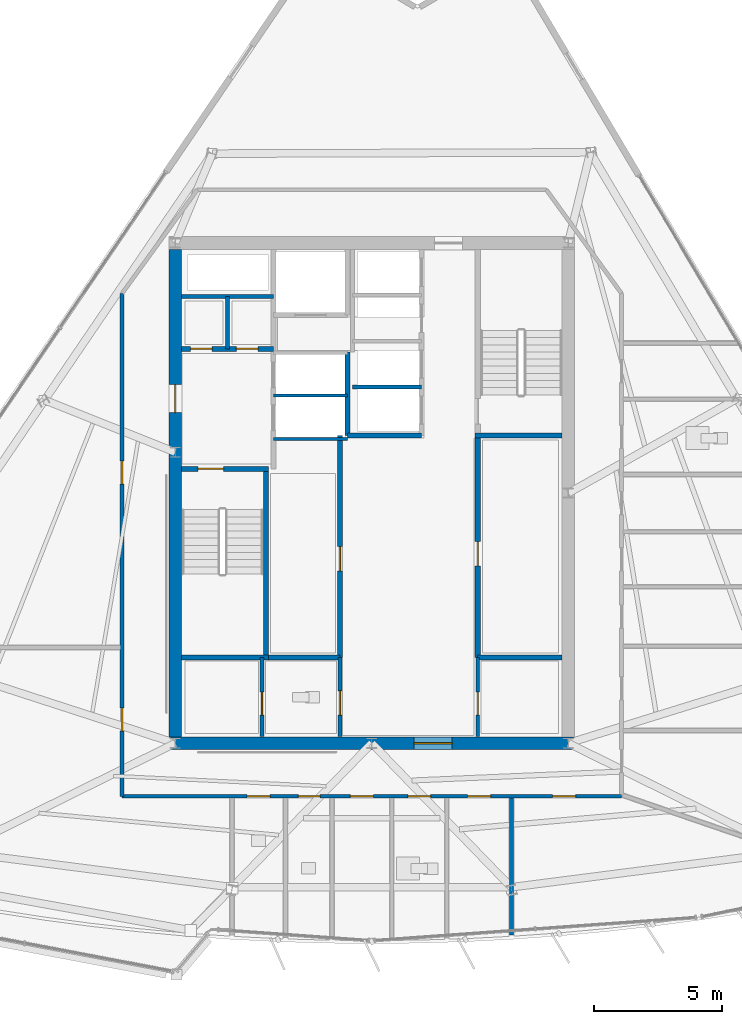
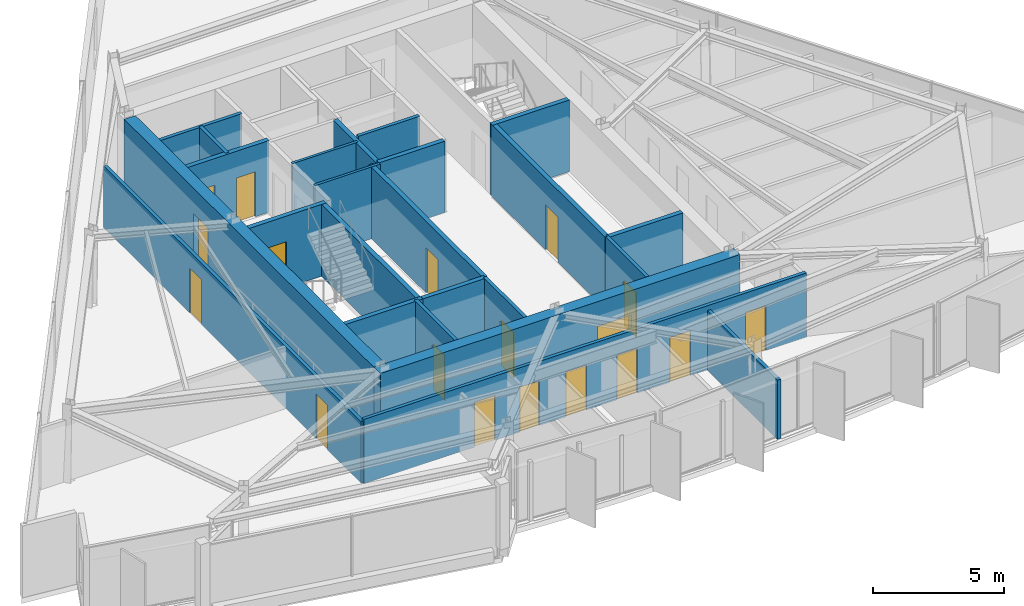
# One storey, part 7 of 14: 24 walls, 18 doors, 18 openings.
"""IFC4 building model written with IfcOpenShell, lengths in metres."""

from ifc_helpers import new_model, si_unit, direction, frame, frame_2d, origin, place, context, subcontext, project, spatial, rectangle, extrude, material, layer, layer_set, type_object, element, fill, save


model = new_model("IFC4")

# Units and contexts
model_context = context("Model", 3, precision=1e-05, world=origin(), true_north=direction((0.0, 1.0)))
body_context = subcontext(model_context, "Body", "Model", "MODEL_VIEW")
ifc_project = project(units=[si_unit("LENGTHUNIT", "METRE"), si_unit("AREAUNIT", "SQUARE_METRE"), si_unit("VOLUMEUNIT", "CUBIC_METRE"), si_unit("PLANEANGLEUNIT", "RADIAN"), si_unit("MASSUNIT", "GRAM", prefix="KILO")], contexts=[model_context])

# Site, building, storey
site_placement = place(None, origin())
site = spatial("IfcSite", under=ifc_project, at=site_placement, CompositionType="ELEMENT")
building_placement = place(site_placement, origin())
building = spatial("IfcBuilding", under=site, at=building_placement, Name="Savorim Split Tower", CompositionType="ELEMENT")
storey_placement = place(building_placement, frame((0.0, 0.0, 227.10009765625)))
storey = spatial("IfcBuildingStorey", under=building, at=storey_placement, Name="L60", CompositionType="ELEMENT", Elevation=227.10009765625)

# Wall, opening, door
ifc_material_1 = material(Name="Concrete C60/75", Category="concrete")
ifc_layer_1 = layer(ifc_material_1, 0.5)
ifc_layer_set_1 = layer_set([ifc_layer_1], Name="WAL-COR-SH500")
wall_type_1 = type_object("IfcWallType", Name="WAL-COR-SH500", PredefinedType="SHEAR", material=ifc_layer_set_1)
wall_1_placement = place(storey_placement, frame((-7.949951171875, -9.39990234375, 0.0), z_axis=(0.0, 0.0, 1.0), x_axis=(1.0, 0.0, 0.0)))
wall_1 = element("IfcWall", 1, at=wall_1_placement, inside=storey, type_object=wall_type_1, Name="L60 Offset Core South Shear Wall", PredefinedType="SHEAR", context=body_context, shape_type="SweptSolid", body=[
    extrude(rectangle(XDim=15.89990234375, YDim=0.5, at=frame_2d((7.949951171875, 0.0))), origin(), (0.0, 0.0, 1.0), 3.349853515625),
])
opening_1_placement = place(wall_1_placement, frame((9.60009765625, 0.0, 0.0)))
opening_1 = element("IfcOpeningElement", 2, at=opening_1_placement, cuts=wall_1, Name="Opening DI-02", PredefinedType="OPENING", context=body_context, shape_type="SweptSolid", body=[
    extrude(rectangle(XDim=1.5, YDim=2.199951171875, at=frame_2d((0.75, 1.10009765625))), frame((0.0, 0.260009765625, 0.0), z_axis=(0.0, -1.0, 0.0), x_axis=(1.0, 0.0, 0.0)), (0.0, 0.0, 1.0), 0.52001953125),
])
ifc_material_2 = material(Name="Timber Fire Door Leaf", Category="wood")
door_type_1 = type_object("IfcDoorType", Name="DOR-DBL-1500", OperationType="NOTDEFINED", PredefinedType="DOOR", material=ifc_material_2)
door_1_placement = place(opening_1_placement, origin())
door_1 = element("IfcDoor", 3, at=door_1_placement, inside=storey, type_object=door_type_1, Name="DOR-L60-COR-LLOB - L60 Lift Lobby Main Rated Door", OperationType="DOUBLE_DOOR_SINGLE_SWING", OverallHeight=2.199951171875, OverallWidth=1.5, PredefinedType="DOOR", context=body_context, shape_type="SweptSolid", body=[
    extrude(rectangle(XDim=1.5, YDim=2.199951171875, at=frame_2d((0.75, 1.10009765625))), frame((0.0, 0.02490234375, 0.0), z_axis=(0.0, -1.0, 0.0), x_axis=(1.0, 0.0, 0.0)), (0.0, 0.0, 1.0), 0.050048828125),
])
fill(opening_1, door_1)

wall_2_placement = place(storey_placement, frame((-7.699951171875, -9.14990234375, 0.0), z_axis=(0.0, 0.0, 1.0), x_axis=(0.0, 1.0, 0.0)))
wall_2 = element("IfcWall", 4, at=wall_2_placement, inside=storey, type_object=wall_type_1, Name="L60 Offset Core West Shear Wall", PredefinedType="SHEAR", context=body_context, shape_type="SweptSolid", body=[
    extrude(rectangle(XDim=19.099853515625, YDim=0.5, at=frame_2d((9.5498046875, 0.0))), origin(), (0.0, 0.0, 1.0), 3.349853515625),
])
opening_2_placement = place(wall_2_placement, frame((12.699951171875, 0.0, 0.0)))
opening_2 = element("IfcOpeningElement", 5, at=opening_2_placement, cuts=wall_2, Name="Opening DI-03", PredefinedType="OPENING", context=body_context, shape_type="SweptSolid", body=[
    extrude(rectangle(XDim=1.10009765625, YDim=2.14990234375, at=frame_2d((0.550048828125, 1.074951171875))), frame((0.0, 0.260009765625, 0.0), z_axis=(0.0, -1.0, 0.0), x_axis=(1.0, 0.0, 0.0)), (0.0, 0.0, 1.0), 0.52001953125),
])
door_type_2 = type_object("IfcDoorType", Name="DOR-FIR-1100", OperationType="NOTDEFINED", PredefinedType="DOOR", material=ifc_material_2)
door_2_placement = place(opening_2_placement, origin())
door_2 = element("IfcDoor", 6, at=door_2_placement, inside=storey, type_object=door_type_2, Name="DOR-L60-COR-FFLOB - L60 Firefighting Lobby Corridor Door", OperationType="SINGLE_SWING_RIGHT", OverallHeight=2.14990234375, OverallWidth=1.10009765625, PredefinedType="DOOR", context=body_context, shape_type="SweptSolid", body=[
    extrude(rectangle(XDim=1.10009765625, YDim=2.14990234375, at=frame_2d((0.550048828125, 1.074951171875))), frame((0.0, 0.02490234375, 0.0), z_axis=(0.0, -1.0, 0.0), x_axis=(1.0, 0.0, 0.0)), (0.0, 0.0, 1.0), 0.050048828125),
])
fill(opening_2, door_2)

ifc_material_3 = material(Name="Concrete C50/60", Category="concrete")
ifc_layer_2 = layer(ifc_material_3, 0.199951171875)
ifc_layer_set_2 = layer_set([ifc_layer_2], Name="WAL-INT-RC200")
wall_type_2 = type_object("IfcWallType", Name="WAL-INT-RC200", PredefinedType="SOLIDWALL", material=ifc_layer_set_2)
wall_3_placement = place(storey_placement, frame((-7.449951171875, 1.35009765625, 0.0), z_axis=(0.0, 0.0, 1.0), x_axis=(1.0, 0.0, 0.0)))
wall_3 = element("IfcWall", 7, at=wall_3_placement, inside=storey, type_object=wall_type_2, Name="L60 Structural Shaft Wall W-L60-CR01", PredefinedType="SOLIDWALL", context=body_context, shape_type="SweptSolid", body=[
    extrude(rectangle(XDim=3.39990234375, YDim=0.199951171875, at=frame_2d((1.699951171875, 0.0))), origin(), (0.0, 0.0, 1.0), 3.349853515625),
])
opening_3_placement = place(wall_3_placement, frame((0.64990234375, 0.0, 0.0)))
opening_3 = element("IfcOpeningElement", 8, at=opening_3_placement, cuts=wall_3, Name="Opening DI-04", PredefinedType="OPENING", context=body_context, shape_type="SweptSolid", body=[
    extrude(rectangle(XDim=1.0, YDim=2.14990234375, at=frame_2d((0.5, 1.074951171875))), frame((0.0, 0.10986328125, 0.0), z_axis=(0.0, -1.0, 0.0), x_axis=(1.0, 0.0, 0.0)), (0.0, 0.0, 1.0), 0.219970703125),
])
door_type_3 = type_object("IfcDoorType", Name="DOR-FIR-1000", OperationType="NOTDEFINED", PredefinedType="DOOR", material=ifc_material_2)
door_3_placement = place(opening_3_placement, origin())
door_3 = element("IfcDoor", 9, at=door_3_placement, inside=storey, type_object=door_type_3, Name="DR-L60-ST1 - L60 Stair ST-1 Enclosure Door", OperationType="SINGLE_SWING_LEFT", OverallHeight=2.14990234375, OverallWidth=1.0, PredefinedType="DOOR", context=body_context, shape_type="SweptSolid", body=[
    extrude(rectangle(XDim=1.0, YDim=2.14990234375, at=frame_2d((0.5, 1.074951171875))), frame((0.0, 0.02490234375, 0.0), z_axis=(0.0, -1.0, 0.0), x_axis=(1.0, 0.0, 0.0)), (0.0, 0.0, 1.0), 0.050048828125),
])
fill(opening_3, door_3)

# Wall
wall_4_placement = place(storey_placement, frame((-4.14990234375, -5.949951171875, 0.0), z_axis=(0.0, 0.0, 1.0), x_axis=(0.0, 1.0, 0.0)))
element("IfcWall", 10, at=wall_4_placement, inside=storey, type_object=wall_type_2, Name="L60 Structural Shaft Wall W-L60-CR02", PredefinedType="SOLIDWALL", context=body_context, shape_type="SweptSolid", body=[
    extrude(rectangle(XDim=7.199951171875, YDim=0.199951171875, at=frame_2d((3.60009765625, 0.0))), origin(), (0.0, 0.0, 1.0), 3.349853515625),
])

# Wall, openings, doors
wall_5_placement = place(storey_placement, frame((-7.445068359375, 6.050048828125, 0.0), z_axis=(0.0, 0.0, 1.0), x_axis=(1.0, 0.0, 0.0)))
wall_5 = element("IfcWall", 11, at=wall_5_placement, inside=storey, type_object=wall_type_2, Name="L60 Partition W-L60-CR04", PredefinedType="SOLIDWALL", context=body_context, shape_type="SweptSolid", body=[
    extrude(rectangle(XDim=3.594970703125, YDim=0.199951171875, at=frame_2d((1.79736328125, 0.0))), origin(), (0.0, 0.0, 1.0), 3.349853515625),
])
opening_4_placement = place(wall_5_placement, frame((0.344970703125, 0.0, 0.0)))
opening_4 = element("IfcOpeningElement", 12, at=opening_4_placement, cuts=wall_5, Name="Opening DI-12", PredefinedType="OPENING", context=body_context, shape_type="SweptSolid", body=[
    extrude(rectangle(XDim=0.85009765625, YDim=2.10009765625, at=frame_2d((0.425048828125, 1.050048828125))), frame((0.0, 0.10986328125, 0.0), z_axis=(0.0, -1.0, 0.0), x_axis=(1.0, 0.0, 0.0)), (0.0, 0.0, 1.0), 0.219970703125),
])
opening_5_placement = place(wall_5_placement, frame((2.14501953125, 0.0, 0.0)))
opening_5 = element("IfcOpeningElement", 13, at=opening_5_placement, cuts=wall_5, Name="Opening DI-12", PredefinedType="OPENING", context=body_context, shape_type="SweptSolid", body=[
    extrude(rectangle(XDim=0.85009765625, YDim=2.10009765625, at=frame_2d((0.425048828125, 1.050048828125))), frame((0.0, 0.10986328125, 0.0), z_axis=(0.0, -1.0, 0.0), x_axis=(1.0, 0.0, 0.0)), (0.0, 0.0, 1.0), 0.219970703125),
])
ifc_material_4 = material(Name="Galvanised Painted Steel Balustrade", Category="steel")
door_type_4 = type_object("IfcDoorType", Name="DOR-RIS-850", OperationType="NOTDEFINED", PredefinedType="DOOR", material=ifc_material_4)
door_4_placement = place(opening_4_placement, origin())
door_4 = element("IfcDoor", 14, at=door_4_placement, inside=storey, type_object=door_type_4, Name="DR-L60-ELR - L60 Electrical Riser Access Door", OperationType="SINGLE_SWING_RIGHT", OverallHeight=2.10009765625, OverallWidth=0.85009765625, PredefinedType="DOOR", context=body_context, shape_type="SweptSolid", body=[
    extrude(rectangle(XDim=0.85009765625, YDim=2.10009765625, at=frame_2d((0.425048828125, 1.050048828125))), frame((0.0, 0.02490234375, 0.0), z_axis=(0.0, -1.0, 0.0), x_axis=(1.0, 0.0, 0.0)), (0.0, 0.0, 1.0), 0.050048828125),
])
fill(opening_4, door_4)
door_5_placement = place(opening_5_placement, origin())
door_5 = element("IfcDoor", 15, at=door_5_placement, inside=storey, type_object=door_type_4, Name="DR-L60-TLR - L60 Telecom Riser Access Door", OperationType="SINGLE_SWING_LEFT", OverallHeight=2.10009765625, OverallWidth=0.85009765625, PredefinedType="DOOR", context=body_context, shape_type="SweptSolid", body=[
    extrude(rectangle(XDim=0.85009765625, YDim=2.10009765625, at=frame_2d((0.425048828125, 1.050048828125))), frame((0.0, 0.02490234375, 0.0), z_axis=(0.0, -1.0, 0.0), x_axis=(1.0, 0.0, 0.0)), (0.0, 0.0, 1.0), 0.050048828125),
])
fill(opening_5, door_5)

# Walls
wall_6_placement = place(storey_placement, frame((4.050048828125, 2.64990234375, 0.0), z_axis=(0.0, 0.0, 1.0), x_axis=(1.0, 0.0, 0.0)))
element("IfcWall", 16, at=wall_6_placement, inside=storey, type_object=wall_type_2, Name="L60 Structural Shaft Wall W-L60-CR08", PredefinedType="SOLIDWALL", context=body_context, shape_type="SweptSolid", body=[
    extrude(rectangle(XDim=3.39990234375, YDim=0.199951171875, at=frame_2d((1.699951171875, 0.0))), origin(), (0.0, 0.0, 1.0), 3.349853515625),
])
wall_7_placement = place(storey_placement, frame((-0.949951171875, 2.64990234375, 0.0), z_axis=(0.0, 0.0, 1.0), x_axis=(0.0, 1.0, 0.0)))
element("IfcWall", 17, at=wall_7_placement, inside=storey, type_object=wall_type_2, Name="L60 Partition W-L60-FFLW", PredefinedType="SOLIDWALL", context=body_context, shape_type="SweptSolid", body=[
    extrude(rectangle(XDim=3.27001953125, YDim=0.199951171875, at=frame_2d((1.635009765625, 0.0))), origin(), (0.0, 0.0, 1.0), 3.349853515625),
])

# Wall, opening, door
wall_8_placement = place(storey_placement, frame((4.14990234375, -6.050048828125, 0.0), z_axis=(0.0, 0.0, 1.0), x_axis=(0.0, 1.0, 0.0)))
wall_8 = element("IfcWall", 18, at=wall_8_placement, inside=storey, type_object=wall_type_2, Name="L60 Partition W-L60-B1FRONT", PredefinedType="SOLIDWALL", context=body_context, shape_type="SweptSolid", body=[
    extrude(rectangle(XDim=8.699951171875, YDim=0.199951171875, at=frame_2d((4.35009765625, 0.0))), origin(), (0.0, 0.0, 1.0), 3.349853515625),
])
opening_6_placement = place(wall_8_placement, frame((3.60009765625, 0.0, 0.0)))
opening_6 = element("IfcOpeningElement", 19, at=opening_6_placement, cuts=wall_8, Name="Opening DI-05", PredefinedType="OPENING", context=body_context, shape_type="SweptSolid", body=[
    extrude(rectangle(XDim=0.949951171875, YDim=2.10009765625, at=frame_2d((0.47509765625, 1.050048828125))), frame((0.0, 0.10986328125, 0.0), z_axis=(0.0, -1.0, 0.0), x_axis=(1.0, 0.0, 0.0)), (0.0, 0.0, 1.0), 0.219970703125),
])
door_type_5 = type_object("IfcDoorType", Name="DOR-FIR-950", OperationType="NOTDEFINED", PredefinedType="DOOR", material=ifc_material_2)
door_6_placement = place(opening_6_placement, origin())
door_6 = element("IfcDoor", 20, at=door_6_placement, inside=storey, type_object=door_type_5, Name="DR-L60-LV7B1 - L60 Shared Pantry and Linen Room Door", OperationType="SINGLE_SWING_RIGHT", OverallHeight=2.10009765625, OverallWidth=0.949951171875, PredefinedType="DOOR", context=body_context, shape_type="SweptSolid", body=[
    extrude(rectangle(XDim=0.949951171875, YDim=2.10009765625, at=frame_2d((0.47509765625, 1.050048828125))), frame((0.0, 0.02490234375, 0.0), z_axis=(0.0, -1.0, 0.0), x_axis=(1.0, 0.0, 0.0)), (0.0, 0.0, 1.0), 0.050048828125),
])
fill(opening_6, door_6)

wall_9_placement = place(storey_placement, frame((-1.25, -6.050048828125, 0.0), z_axis=(0.0, 0.0, 1.0), x_axis=(0.0, 1.0, 0.0)))
wall_9 = element("IfcWall", 21, at=wall_9_placement, inside=storey, type_object=wall_type_2, Name="L60 Partition W-L60-B2FRONT", PredefinedType="SOLIDWALL", context=body_context, shape_type="SweptSolid", body=[
    extrude(rectangle(XDim=8.699951171875, YDim=0.199951171875, at=frame_2d((4.35009765625, 0.0))), origin(), (0.0, 0.0, 1.0), 3.349853515625),
])
opening_7_placement = place(wall_9_placement, frame((3.39990234375, 0.0, 0.0)))
opening_7 = element("IfcOpeningElement", 22, at=opening_7_placement, cuts=wall_9, Name="Opening DI-05", PredefinedType="OPENING", context=body_context, shape_type="SweptSolid", body=[
    extrude(rectangle(XDim=0.949951171875, YDim=2.10009765625, at=frame_2d((0.47509765625, 1.050048828125))), frame((0.0, 0.10986328125, 0.0), z_axis=(0.0, -1.0, 0.0), x_axis=(1.0, 0.0, 0.0)), (0.0, 0.0, 1.0), 0.219970703125),
])
door_7_placement = place(opening_7_placement, origin())
door_7 = element("IfcDoor", 23, at=door_7_placement, inside=storey, type_object=door_type_5, Name="DR-L60-LV7B2 - L60 Housekeeping and Parcel Room Door", OperationType="SINGLE_SWING_LEFT", OverallHeight=2.10009765625, OverallWidth=0.949951171875, PredefinedType="DOOR", context=body_context, shape_type="SweptSolid", body=[
    extrude(rectangle(XDim=0.949951171875, YDim=2.10009765625, at=frame_2d((0.47509765625, 1.050048828125))), frame((0.0, 0.02490234375, 0.0), z_axis=(0.0, -1.0, 0.0), x_axis=(1.0, 0.0, 0.0)), (0.0, 0.0, 1.0), 0.050048828125),
])
fill(opening_7, door_7)

# Walls
wall_10_placement = place(storey_placement, frame((-0.949951171875, 2.64990234375, 0.0), z_axis=(0.0, 0.0, 1.0), x_axis=(1.0, 0.0, 0.0)))
element("IfcWall", 24, at=wall_10_placement, inside=storey, type_object=wall_type_2, Name="L60 Partition W-L60-B3SOUTH", PredefinedType="SOLIDWALL", context=body_context, shape_type="SweptSolid", body=[
    extrude(rectangle(XDim=2.89990234375, YDim=0.199951171875, at=frame_2d((1.449951171875, 0.0))), origin(), (0.0, 0.0, 1.0), 3.349853515625),
])
wall_11_placement = place(storey_placement, frame((-7.449951171875, -6.050048828125, 0.0), z_axis=(0.0, 0.0, 1.0), x_axis=(1.0, 0.0, 0.0)))
element("IfcWall", 25, at=wall_11_placement, inside=storey, type_object=wall_type_2, Name="L60 Structural Shaft Wall W-L60-KSEP-W", PredefinedType="SOLIDWALL", context=body_context, shape_type="SweptSolid", body=[
    extrude(rectangle(XDim=3.39990234375, YDim=0.199951171875, at=frame_2d((1.699951171875, 0.0))), origin(), (0.0, 0.0, 1.0), 3.349853515625),
])
wall_12_placement = place(storey_placement, frame((-4.0400390625, -6.050048828125, 0.0), z_axis=(0.0, 0.0, 1.0), x_axis=(1.0, 0.0, 0.0)))
element("IfcWall", 26, at=wall_12_placement, inside=storey, type_object=wall_type_2, Name="L60 Partition W-L60-KSEP-W2", PredefinedType="SOLIDWALL", context=body_context, shape_type="SweptSolid", body=[
    extrude(rectangle(XDim=2.7900390625, YDim=0.199951171875, at=frame_2d((1.39501953125, 0.0))), origin(), (0.0, 0.0, 1.0), 3.349853515625),
])
wall_13_placement = place(storey_placement, frame((4.14990234375, -6.050048828125, 0.0), z_axis=(0.0, 0.0, 1.0), x_axis=(1.0, 0.0, 0.0)))
element("IfcWall", 27, at=wall_13_placement, inside=storey, type_object=wall_type_2, Name="L60 Partition W-L60-KSEP-E", PredefinedType="SOLIDWALL", context=body_context, shape_type="SweptSolid", body=[
    extrude(rectangle(XDim=3.295166015625, YDim=0.199951171875, at=frame_2d((1.6474609375, 0.0))), origin(), (0.0, 0.0, 1.0), 3.349853515625),
])
ifc_material_5 = material(Name="Acoustic Gypsum Partition Board")
ifc_layer_3 = layer(ifc_material_5, 0.1201171875)
ifc_layer_set_3 = layer_set([ifc_layer_3], Name="WAL-PAR-120")
wall_type_3 = type_object("IfcWallType", Name="WAL-PAR-120", PredefinedType="PARTITIONING", material=ifc_layer_set_3)
for number, where, z_axis, x_axis, name in (
    (28, (-3.85009765625, 2.52001953125, 0.0), (0.0, 0.0, 1.0), (1.0, 0.0, 0.0), "L60 Partition W-L60-FFLD0"),
    (29, (-3.85009765625, 4.219970703125, 0.0), (0.0, 0.0, 1.0), (1.0, 0.0, 0.0), "L60 Partition W-L60-FFLD1"),
):
    element("IfcWall", number, at=place(storey_placement, frame(where, z_axis=z_axis, x_axis=x_axis)), inside=storey, type_object=wall_type_3, Name=name, PredefinedType="PARTITIONING", context=body_context, shape_type="SweptSolid", body=[
        extrude(rectangle(XDim=2.900146484375, YDim=0.1201171875, at=frame_2d((1.4501953125, 0.0))), origin(), (0.0, 0.0, 1.0), 3.349853515625),
    ])
ifc_layer_4 = layer(ifc_material_5, 0.14990234375)
ifc_layer_set_4 = layer_set([ifc_layer_4], Name="WAL-PAR-150")
wall_type_4 = type_object("IfcWallType", Name="WAL-PAR-150", PredefinedType="PARTITIONING", material=ifc_layer_set_4)
wall_14_placement = place(storey_placement, frame((-7.445068359375, 8.10009765625, 0.0), z_axis=(0.0, 0.0, 1.0), x_axis=(1.0, 0.0, 0.0)))
element("IfcWall", 30, at=wall_14_placement, inside=storey, type_object=wall_type_4, Name="L60 Partition W-L60-CR05", PredefinedType="PARTITIONING", context=body_context, shape_type="SweptSolid", body=[
    extrude(rectangle(XDim=3.594970703125, YDim=0.14990234375, at=frame_2d((1.79736328125, 0.0))), origin(), (0.0, 0.0, 1.0), 3.349853515625),
])
wall_15_placement = place(storey_placement, frame((-5.64990234375, 6.050048828125, 0.0), z_axis=(0.0, 0.0, 1.0), x_axis=(0.0, 1.0, 0.0)))
element("IfcWall", 31, at=wall_15_placement, inside=storey, type_object=wall_type_4, Name="L60 Partition W-L60-CR06", PredefinedType="PARTITIONING", context=body_context, shape_type="SweptSolid", body=[
    extrude(rectangle(XDim=2.050048828125, YDim=0.14990234375, at=frame_2d((1.02490234375, 0.0))), origin(), (0.0, 0.0, 1.0), 3.349853515625),
])
wall_16_placement = place(storey_placement, frame((-0.75, 4.550048828125, 0.0), z_axis=(0.0, 0.0, 1.0), x_axis=(1.0, 0.0, 0.0)))
element("IfcWall", 32, at=wall_16_placement, inside=storey, type_object=wall_type_4, Name="L60 Partition W-L60-B3DIV1", PredefinedType="PARTITIONING", context=body_context, shape_type="SweptSolid", body=[
    extrude(rectangle(XDim=2.699951171875, YDim=0.14990234375, at=frame_2d((1.35009765625, 0.0))), origin(), (0.0, 0.0, 1.0), 3.349853515625),
])

# Wall, opening, door
wall_17_placement = place(storey_placement, frame((-1.25, -9.14501953125, 0.0), z_axis=(0.0, 0.0, 1.0), x_axis=(0.0, 1.0, 0.0)))
wall_17 = element("IfcWall", 33, at=wall_17_placement, inside=storey, type_object=wall_type_4, Name="L60 Partition W-L60-KLOB-W", PredefinedType="PARTITIONING", context=body_context, shape_type="SweptSolid", body=[
    extrude(rectangle(XDim=3.094970703125, YDim=0.14990234375, at=frame_2d((1.54736328125, 0.0))), origin(), (0.0, 0.0, 1.0), 3.349853515625),
])
opening_8_placement = place(wall_17_placement, frame((0.844970703125, 0.0, 0.0)))
opening_8 = element("IfcOpeningElement", 34, at=opening_8_placement, cuts=wall_17, Name="Opening DI-10", PredefinedType="OPENING", context=body_context, shape_type="SweptSolid", body=[
    extrude(rectangle(XDim=0.949951171875, YDim=2.10009765625, at=frame_2d((0.47509765625, 1.050048828125))), frame((0.0, 0.0849609375, 0.0), z_axis=(0.0, -1.0, 0.0), x_axis=(1.0, 0.0, 0.0)), (0.0, 0.0, 1.0), 0.169921875),
])
ifc_material_6 = material(Name="Oak Veneer Acoustic Door")
door_type_6 = type_object("IfcDoorType", Name="DOR-WC-950", OperationType="NOTDEFINED", PredefinedType="DOOR", material=ifc_material_6)
door_8_placement = place(opening_8_placement, origin())
door_8 = element("IfcDoor", 35, at=door_8_placement, inside=storey, type_object=door_type_6, Name="DR-L60-K1WC - L60 Core Accessible WC Door", OperationType="SINGLE_SWING_LEFT", OverallHeight=2.10009765625, OverallWidth=0.949951171875, PredefinedType="DOOR", context=body_context, shape_type="SweptSolid", body=[
    extrude(rectangle(XDim=0.949951171875, YDim=2.10009765625, at=frame_2d((0.47509765625, 1.050048828125))), frame((0.0, 0.02490234375, 0.0), z_axis=(0.0, -1.0, 0.0), x_axis=(1.0, 0.0, 0.0)), (0.0, 0.0, 1.0), 0.050048828125),
])
fill(opening_8, door_8)

wall_18_placement = place(storey_placement, frame((4.14990234375, -9.14501953125, 0.0), z_axis=(0.0, 0.0, 1.0), x_axis=(0.0, 1.0, 0.0)))
wall_18 = element("IfcWall", 36, at=wall_18_placement, inside=storey, type_object=wall_type_4, Name="L60 Partition W-L60-KLOB-E", PredefinedType="PARTITIONING", context=body_context, shape_type="SweptSolid", body=[
    extrude(rectangle(XDim=3.094970703125, YDim=0.14990234375, at=frame_2d((1.54736328125, 0.0))), origin(), (0.0, 0.0, 1.0), 3.349853515625),
])
opening_9_placement = place(wall_18_placement, frame((0.844970703125, 0.0, 0.0)))
opening_9 = element("IfcOpeningElement", 37, at=opening_9_placement, cuts=wall_18, Name="Opening DI-06", PredefinedType="OPENING", context=body_context, shape_type="SweptSolid", body=[
    extrude(rectangle(XDim=0.89990234375, YDim=2.10009765625, at=frame_2d((0.449951171875, 1.050048828125))), frame((0.0, 0.0849609375, 0.0), z_axis=(0.0, -1.0, 0.0), x_axis=(1.0, 0.0, 0.0)), (0.0, 0.0, 1.0), 0.169921875),
])
door_type_7 = type_object("IfcDoorType", Name="DOR-FIR-900", OperationType="NOTDEFINED", PredefinedType="DOOR", material=ifc_material_2)
door_9_placement = place(opening_9_placement, origin())
door_9 = element("IfcDoor", 38, at=door_9_placement, inside=storey, type_object=door_type_7, Name="DR-L60-K1IT - L60 Core IT Room Door", OperationType="SINGLE_SWING_LEFT", OverallHeight=2.10009765625, OverallWidth=0.89990234375, PredefinedType="DOOR", context=body_context, shape_type="SweptSolid", body=[
    extrude(rectangle(XDim=0.89990234375, YDim=2.10009765625, at=frame_2d((0.449951171875, 1.050048828125))), frame((0.0, 0.02490234375, 0.0), z_axis=(0.0, -1.0, 0.0), x_axis=(1.0, 0.0, 0.0)), (0.0, 0.0, 1.0), 0.050048828125),
])
fill(opening_9, door_9)

wall_19_placement = place(storey_placement, frame((-4.300048828125, -9.14501953125, 0.0), z_axis=(0.0, 0.0, 1.0), x_axis=(0.0, 1.0, 0.0)))
wall_19 = element("IfcWall", 39, at=wall_19_placement, inside=storey, type_object=wall_type_4, Name="L60 Partition W-L60-K1W", PredefinedType="PARTITIONING", context=body_context, shape_type="SweptSolid", body=[
    extrude(rectangle(XDim=3.094970703125, YDim=0.14990234375, at=frame_2d((1.54736328125, 0.0))), origin(), (0.0, 0.0, 1.0), 3.349853515625),
])
opening_10_placement = place(wall_19_placement, frame((0.844970703125, 0.0, 0.0)))
opening_10 = element("IfcOpeningElement", 40, at=opening_10_placement, cuts=wall_19, Name="Opening DI-06", PredefinedType="OPENING", context=body_context, shape_type="SweptSolid", body=[
    extrude(rectangle(XDim=0.89990234375, YDim=2.10009765625, at=frame_2d((0.449951171875, 1.050048828125))), frame((0.0, 0.0849609375, 0.0), z_axis=(0.0, -1.0, 0.0), x_axis=(1.0, 0.0, 0.0)), (0.0, 0.0, 1.0), 0.169921875),
])
door_10_placement = place(opening_10_placement, origin())
door_10 = element("IfcDoor", 41, at=door_10_placement, inside=storey, type_object=door_type_7, Name="DR-L60-K1HK - L60 Housekeeping Store Door", OperationType="SINGLE_SWING_RIGHT", OverallHeight=2.10009765625, OverallWidth=0.89990234375, PredefinedType="DOOR", context=body_context, shape_type="SweptSolid", body=[
    extrude(rectangle(XDim=0.89990234375, YDim=2.10009765625, at=frame_2d((0.449951171875, 1.050048828125))), frame((0.0, 0.02490234375, 0.0), z_axis=(0.0, -1.0, 0.0), x_axis=(1.0, 0.0, 0.0)), (0.0, 0.0, 1.0), 0.050048828125),
])
fill(opening_10, door_10)

# Wall, openings, doors
wall_20_placement = place(storey_placement, frame((-9.780029296875, -11.47998046875, 0.0), z_axis=(0.0, 0.0, 1.0), x_axis=(0.0, 1.0, 0.0)))
wall_20 = element("IfcWall", 42, at=wall_20_placement, inside=storey, type_object=wall_type_4, Name="L60 Partition W-L60-COR-01", PredefinedType="PARTITIONING", context=body_context, shape_type="SweptSolid", body=[
    extrude(rectangle(XDim=19.705810546875, YDim=0.14990234375, at=frame_2d((9.85302734375, 0.0))), origin(), (0.0, 0.0, 1.0), 2.875),
])
opening_11_placement = place(wall_20_placement, frame((2.553466796875, 0.0, 0.0)))
opening_11 = element("IfcOpeningElement", 43, at=opening_11_placement, cuts=wall_20, Name="Opening DI-06", PredefinedType="OPENING", context=body_context, shape_type="SweptSolid", body=[
    extrude(rectangle(XDim=0.89990234375, YDim=2.10009765625, at=frame_2d((0.449951171875, 1.050048828125))), frame((0.0, 0.0849609375, 0.0), z_axis=(0.0, -1.0, 0.0), x_axis=(1.0, 0.0, 0.0)), (0.0, 0.0, 1.0), 0.169921875),
])
opening_12_placement = place(wall_20_placement, frame((12.228271484375, 0.0, 0.0)))
opening_12 = element("IfcOpeningElement", 44, at=opening_12_placement, cuts=wall_20, Name="Opening DI-06", PredefinedType="OPENING", context=body_context, shape_type="SweptSolid", body=[
    extrude(rectangle(XDim=0.89990234375, YDim=2.10009765625, at=frame_2d((0.449951171875, 1.050048828125))), frame((0.0, 0.0849609375, 0.0), z_axis=(0.0, -1.0, 0.0), x_axis=(1.0, 0.0, 0.0)), (0.0, 0.0, 1.0), 0.169921875),
])
door_11_placement = place(opening_11_placement, origin())
door_11 = element("IfcDoor", 45, at=door_11_placement, inside=storey, type_object=door_type_7, Name="DR-L60-RM01 - L60 Co-Working Commons Entry Door", OperationType="SINGLE_SWING_RIGHT", OverallHeight=2.10009765625, OverallWidth=0.89990234375, PredefinedType="DOOR", context=body_context, shape_type="SweptSolid", body=[
    extrude(rectangle(XDim=0.89990234375, YDim=2.10009765625, at=frame_2d((0.449951171875, 1.050048828125))), frame((0.0, 0.02490234375, 0.0), z_axis=(0.0, -1.0, 0.0), x_axis=(1.0, 0.0, 0.0)), (0.0, 0.0, 1.0), 0.050048828125),
])
fill(opening_11, door_11)
door_12_placement = place(opening_12_placement, origin())
door_12 = element("IfcDoor", 46, at=door_12_placement, inside=storey, type_object=door_type_7, Name="DR-L60-RM15 - L60 Co-Working Commons Entry Door", OperationType="SINGLE_SWING_RIGHT", OverallHeight=2.10009765625, OverallWidth=0.89990234375, PredefinedType="DOOR", context=body_context, shape_type="SweptSolid", body=[
    extrude(rectangle(XDim=0.89990234375, YDim=2.10009765625, at=frame_2d((0.449951171875, 1.050048828125))), frame((0.0, 0.02490234375, 0.0), z_axis=(0.0, -1.0, 0.0), x_axis=(1.0, 0.0, 0.0)), (0.0, 0.0, 1.0), 0.050048828125),
])
fill(opening_12, door_12)

wall_21_placement = place(storey_placement, frame((9.780029296875, -11.47998046875, 0.0), z_axis=(0.0, 0.0, 1.0), x_axis=(-1.0, 0.0, 0.0)))
wall_21 = element("IfcWall", 47, at=wall_21_placement, inside=storey, type_object=wall_type_4, Name="L60 Partition W-L60-COR-06", PredefinedType="PARTITIONING", context=body_context, shape_type="SweptSolid", body=[
    extrude(rectangle(XDim=19.56005859375, YDim=0.14990234375, at=frame_2d((9.780029296875, 0.0))), origin(), (0.0, 0.0, 1.0), 3.0048828125),
])
opening_13_placement = place(wall_21_placement, frame((13.759033203125, 0.0, 0.0)))
opening_13 = element("IfcOpeningElement", 48, at=opening_13_placement, cuts=wall_21, Name="Opening DI-06", PredefinedType="OPENING", context=body_context, shape_type="SweptSolid", body=[
    extrude(rectangle(XDim=0.89990234375, YDim=2.10009765625, at=frame_2d((0.449951171875, 1.050048828125))), frame((0.0, 0.0849609375, 0.0), z_axis=(0.0, -1.0, 0.0), x_axis=(1.0, 0.0, 0.0)), (0.0, 0.0, 1.0), 0.169921875),
])
opening_14_placement = place(wall_21_placement, frame((11.801513671875, 0.0, 0.0)))
opening_14 = element("IfcOpeningElement", 49, at=opening_14_placement, cuts=wall_21, Name="Opening DI-13", PredefinedType="OPENING", context=body_context, shape_type="SweptSolid", body=[
    extrude(rectangle(XDim=0.85009765625, YDim=2.10009765625, at=frame_2d((0.425048828125, 1.050048828125))), frame((0.0, 0.0849609375, 0.0), z_axis=(0.0, -1.0, 0.0), x_axis=(1.0, 0.0, 0.0)), (0.0, 0.0, 1.0), 0.169921875),
])
opening_15_placement = place(wall_21_placement, frame((9.717529296875, 0.0, 0.0)))
opening_15 = element("IfcOpeningElement", 50, at=opening_15_placement, cuts=wall_21, Name="Opening DI-06", PredefinedType="OPENING", context=body_context, shape_type="SweptSolid", body=[
    extrude(rectangle(XDim=0.89990234375, YDim=2.10009765625, at=frame_2d((0.449951171875, 1.050048828125))), frame((0.0, 0.0849609375, 0.0), z_axis=(0.0, -1.0, 0.0), x_axis=(1.0, 0.0, 0.0)), (0.0, 0.0, 1.0), 0.169921875),
])
opening_16_placement = place(wall_21_placement, frame((7.469970703125, 0.0, 0.0)))
opening_16 = element("IfcOpeningElement", 51, at=opening_16_placement, cuts=wall_21, Name="Opening DI-11", PredefinedType="OPENING", context=body_context, shape_type="SweptSolid", body=[
    extrude(rectangle(XDim=0.89990234375, YDim=2.10009765625, at=frame_2d((0.449951171875, 1.050048828125))), frame((0.0, 0.0849609375, 0.0), z_axis=(0.0, -1.0, 0.0), x_axis=(1.0, 0.0, 0.0)), (0.0, 0.0, 1.0), 0.169921875),
])
opening_17_placement = place(wall_21_placement, frame((5.124755859375, 0.0, 0.0)))
opening_17 = element("IfcOpeningElement", 52, at=opening_17_placement, cuts=wall_21, Name="Opening DI-06", PredefinedType="OPENING", context=body_context, shape_type="SweptSolid", body=[
    extrude(rectangle(XDim=0.89990234375, YDim=2.10009765625, at=frame_2d((0.449951171875, 1.050048828125))), frame((0.0, 0.0849609375, 0.0), z_axis=(0.0, -1.0, 0.0), x_axis=(1.0, 0.0, 0.0)), (0.0, 0.0, 1.0), 0.169921875),
])
opening_18_placement = place(wall_21_placement, frame((1.79150390625, 0.0, 0.0)))
opening_18 = element("IfcOpeningElement", 53, at=opening_18_placement, cuts=wall_21, Name="Opening DI-06", PredefinedType="OPENING", context=body_context, shape_type="SweptSolid", body=[
    extrude(rectangle(XDim=0.89990234375, YDim=2.10009765625, at=frame_2d((0.449951171875, 1.050048828125))), frame((0.0, 0.0849609375, 0.0), z_axis=(0.0, -1.0, 0.0), x_axis=(1.0, 0.0, 0.0)), (0.0, 0.0, 1.0), 0.169921875),
])
door_type_8 = type_object("IfcDoorType", Name="DOR-FIR-850", OperationType="NOTDEFINED", PredefinedType="DOOR", material=ifc_material_2)
door_13_placement = place(opening_14_placement, origin())
door_13 = element("IfcDoor", 54, at=door_13_placement, inside=storey, type_object=door_type_8, Name="DR-L60-RM03 - L60 Shared Kitchen Entry Door", OperationType="SINGLE_SWING_RIGHT", OverallHeight=2.10009765625, OverallWidth=0.85009765625, PredefinedType="DOOR", context=body_context, shape_type="SweptSolid", body=[
    extrude(rectangle(XDim=0.85009765625, YDim=2.10009765625, at=frame_2d((0.425048828125, 1.050048828125))), frame((0.0, 0.02490234375, 0.0), z_axis=(0.0, -1.0, 0.0), x_axis=(1.0, 0.0, 0.0)), (0.0, 0.0, 1.0), 0.050048828125),
])
fill(opening_14, door_13)
door_14_placement = place(opening_13_placement, origin())
door_14 = element("IfcDoor", 55, at=door_14_placement, inside=storey, type_object=door_type_7, Name="DR-L60-RM02 - L60 Shared Kitchen Entry Door", OperationType="SINGLE_SWING_LEFT", OverallHeight=2.10009765625, OverallWidth=0.89990234375, PredefinedType="DOOR", context=body_context, shape_type="SweptSolid", body=[
    extrude(rectangle(XDim=0.89990234375, YDim=2.10009765625, at=frame_2d((0.449951171875, 1.050048828125))), frame((0.0, 0.02490234375, 0.0), z_axis=(0.0, -1.0, 0.0), x_axis=(1.0, 0.0, 0.0)), (0.0, 0.0, 1.0), 0.050048828125),
])
fill(opening_13, door_14)
door_15_placement = place(opening_15_placement, origin())
door_15 = element("IfcDoor", 56, at=door_15_placement, inside=storey, type_object=door_type_7, Name="DR-L60-RM04 - L60 Quiet Study Room Entry Door", OperationType="SINGLE_SWING_LEFT", OverallHeight=2.10009765625, OverallWidth=0.89990234375, PredefinedType="DOOR", context=body_context, shape_type="SweptSolid", body=[
    extrude(rectangle(XDim=0.89990234375, YDim=2.10009765625, at=frame_2d((0.449951171875, 1.050048828125))), frame((0.0, 0.02490234375, 0.0), z_axis=(0.0, -1.0, 0.0), x_axis=(1.0, 0.0, 0.0)), (0.0, 0.0, 1.0), 0.050048828125),
])
fill(opening_15, door_15)
door_16_placement = place(opening_17_placement, origin())
door_16 = element("IfcDoor", 57, at=door_16_placement, inside=storey, type_object=door_type_7, Name="DR-L60-RM06 - L60 Co-Living Bedroom Entry Door", OperationType="SINGLE_SWING_LEFT", OverallHeight=2.10009765625, OverallWidth=0.89990234375, PredefinedType="DOOR", context=body_context, shape_type="SweptSolid", body=[
    extrude(rectangle(XDim=0.89990234375, YDim=2.10009765625, at=frame_2d((0.449951171875, 1.050048828125))), frame((0.0, 0.02490234375, 0.0), z_axis=(0.0, -1.0, 0.0), x_axis=(1.0, 0.0, 0.0)), (0.0, 0.0, 1.0), 0.050048828125),
])
fill(opening_17, door_16)
door_17_placement = place(opening_18_placement, origin())
door_17 = element("IfcDoor", 58, at=door_17_placement, inside=storey, type_object=door_type_7, Name="DR-L60-RM07 - L60 Co-Working Commons Entry Door", OperationType="SINGLE_SWING_RIGHT", OverallHeight=2.10009765625, OverallWidth=0.89990234375, PredefinedType="DOOR", context=body_context, shape_type="SweptSolid", body=[
    extrude(rectangle(XDim=0.89990234375, YDim=2.10009765625, at=frame_2d((0.449951171875, 1.050048828125))), frame((0.0, 0.02490234375, 0.0), z_axis=(0.0, -1.0, 0.0), x_axis=(1.0, 0.0, 0.0)), (0.0, 0.0, 1.0), 0.050048828125),
])
fill(opening_18, door_17)
door_type_9 = type_object("IfcDoorType", Name="DOR-WC-900", OperationType="NOTDEFINED", PredefinedType="DOOR", material=ifc_material_6)
door_18_placement = place(opening_16_placement, origin())
door_18 = element("IfcDoor", 59, at=door_18_placement, inside=storey, type_object=door_type_9, Name="DR-L60-RM05 - L60 Shared Bathroom Entry Door", OperationType="SINGLE_SWING_RIGHT", OverallHeight=2.10009765625, OverallWidth=0.89990234375, PredefinedType="DOOR", context=body_context, shape_type="SweptSolid", body=[
    extrude(rectangle(XDim=0.89990234375, YDim=2.10009765625, at=frame_2d((0.449951171875, 1.050048828125))), frame((0.0, 0.02490234375, 0.0), z_axis=(0.0, -1.0, 0.0), x_axis=(1.0, 0.0, 0.0)), (0.0, 0.0, 1.0), 0.050048828125),
])
fill(opening_16, door_18)

# Wall
wall_22_placement = place(storey_placement, frame((5.475341796875, -11.5400390625, 0.0), z_axis=(0.0, 0.0, 1.0), x_axis=(0.0, -1.0, 0.0)))
element("IfcWall", 60, at=wall_22_placement, inside=storey, type_object=wall_type_4, Name="L60 Partition W-L60-PRAD03", PredefinedType="PARTITIONING", context=body_context, shape_type="SweptSolid", body=[
    extrude(rectangle(XDim=5.375244140625, YDim=0.14990234375, at=frame_2d((2.6875, 0.0))), origin(), (0.0, 0.0, 1.0), 2.77490234375),
])

save(model, "model.ifc")
